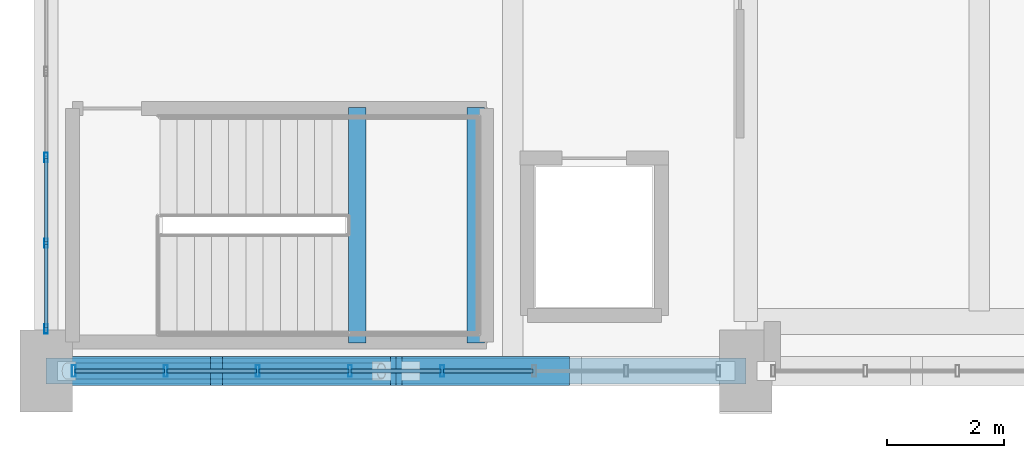
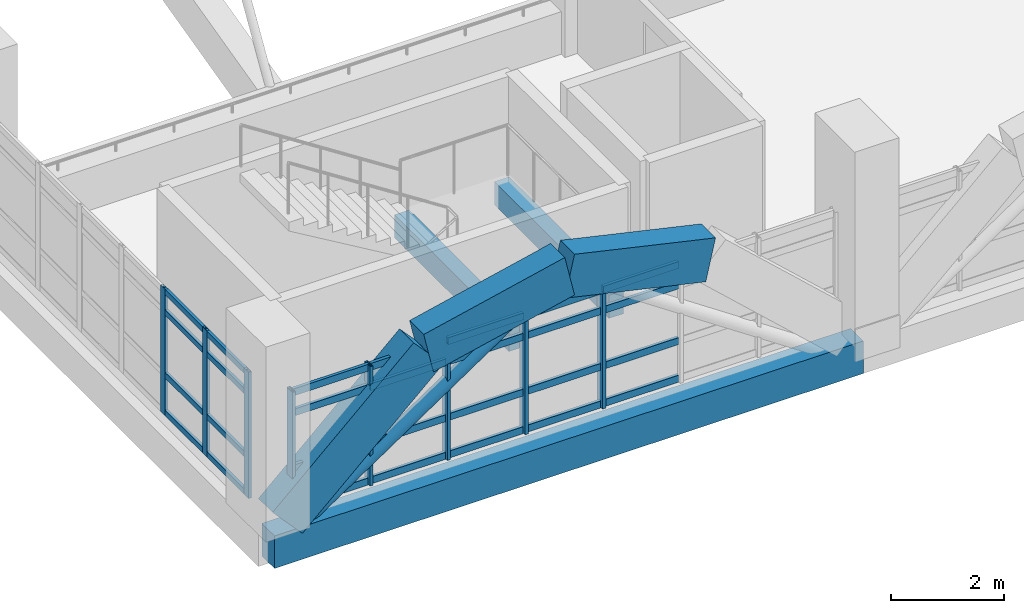
# One storey, part 7 of 161: 37 members, 6 beams, 2 elements without a shape of their own.
"""IFC4 building model written with IfcOpenShell, lengths in metres."""

import ifcopenshell
import ifcopenshell.guid

model = None  # the IFC model being written
_history = None  # IfcOwnerHistory: only IFC2X3 demands one
_inside = {}  # id of a spatial element -> (the spatial element, [elements in it])
_under = {}  # id of a project, library or spatial element -> (it, [spatial elements below it])
_declared = {}  # id of a project -> (the project, [libraries it declares])
_typed = {}  # id of a type object -> (the type object, [elements of that type])
_made_of = {}  # id of a material, layer set ... -> (it, [elements and type objects made of it])


def new_model(schema):
    """Start an empty IFC model of exactly this schema.

    Asked for "IFC4X3", IfcOpenShell would pick the latest addendum, in which some entities
    have other attributes; the version numbers below select the first issue.
    IFC2X3 requires an IfcOwnerHistory on every rooted entity: one is made here for all.
    """
    global model, _history
    if schema == "IFC4X3":
        model = ifcopenshell.file(schema_version=(4, 3, 0, 0))
    else:
        model = ifcopenshell.file(schema=schema)
    _inside.clear()
    _under.clear()
    _declared.clear()
    _typed.clear()
    _made_of.clear()
    _history = None
    if model.schema == "IFC2X3":
        org = make("IfcOrganization", Name="unknown")
        user = make(
            "IfcPersonAndOrganization",
            ThePerson=make("IfcPerson", FamilyName="unknown"),
            TheOrganization=org,
        )
        app = make(
            "IfcApplication",
            ApplicationDeveloper=org,
            Version="unknown",
            ApplicationFullName="unknown",
            ApplicationIdentifier="unknown",
        )
        _history = make(
            "IfcOwnerHistory",
            OwningUser=user,
            OwningApplication=app,
            ChangeAction="ADDED",
            CreationDate=0,
        )
    return model


def make(cls, **values):
    """One entity of the class cls with the attributes given. An attribute that is None is left unset."""
    return model.create_entity(
        cls, **{name: value for name, value in values.items() if value is not None}
    )


def rooted(cls, **values):
    """An entity with a GlobalId (a new one), such as an element, a storey or a relation."""
    return make(cls, GlobalId=ifcopenshell.guid.new(), OwnerHistory=_history, **values)


def si_unit(unit_type, name, prefix=None):
    """IfcSIUnit, for example si_unit("LENGTHUNIT", "METRE", prefix="MILLI")."""
    return make("IfcSIUnit", UnitType=unit_type, Prefix=prefix, Name=name)


def assignment(units):
    """IfcUnitAssignment: the units of a project."""
    return None if units is None else make("IfcUnitAssignment", Units=units)


def point(xyz):
    """IfcCartesianPoint."""
    return None if xyz is None else make("IfcCartesianPoint", Coordinates=xyz)


def direction(xyz):
    """IfcDirection."""
    return None if xyz is None else make("IfcDirection", DirectionRatios=xyz)


def frame(location, z_axis=None, x_axis=None):
    """IfcAxis2Placement3D, a coordinate frame: its origin and axes. An axis left out is left unset."""
    return make(
        "IfcAxis2Placement3D",
        Location=point(location),
        Axis=direction(z_axis),
        RefDirection=direction(x_axis),
    )


def frame_2d(location, x_axis=None):
    """IfcAxis2Placement2D, a coordinate frame in the plane: its origin and x axis."""
    return make(
        "IfcAxis2Placement2D", Location=point(location), RefDirection=direction(x_axis)
    )


def origin():
    """The frame at (0, 0, 0) with its axes left unset."""
    return frame((0.0, 0.0, 0.0))


def origin_2d():
    """The frame at (0, 0) in the plane with its x axis left unset."""
    return frame_2d((0.0, 0.0))


def place(relative_to, where):
    """IfcLocalPlacement: puts the frame where relative to a parent placement (None: the world)."""
    return make(
        "IfcLocalPlacement", PlacementRelTo=relative_to, RelativePlacement=where
    )


def context(
    kind, dimensions, precision=None, world=None, true_north=None, identifier=None
):
    """IfcGeometricRepresentationContext, for example the 3D "Model" context."""
    return make(
        "IfcGeometricRepresentationContext",
        ContextIdentifier=identifier,
        ContextType=kind,
        CoordinateSpaceDimension=dimensions,
        Precision=precision,
        WorldCoordinateSystem=world,
        TrueNorth=true_north,
    )


def subcontext(parent, identifier, kind, view, scale=None):
    """IfcGeometricRepresentationSubContext, for example "Body" below "Model"."""
    return make(
        "IfcGeometricRepresentationSubContext",
        ContextIdentifier=identifier,
        ContextType=kind,
        ParentContext=parent,
        TargetScale=scale,
        TargetView=view,
    )


def project(units=None, contexts=None):
    """IfcProject with its units and contexts."""
    return rooted(
        "IfcProject",
        Name="project",
        RepresentationContexts=contexts,
        UnitsInContext=assignment(units),
    )


def spatial(cls, under=None, at=None, **own):
    """A site, building, storey or space (cls), placed at a placement, below another one or the project."""
    s = rooted(cls, ObjectPlacement=at, **own)
    if under is not None:
        _under.setdefault(under.id(), (under, []))[1].append(s)
    return s


def profile(cls, at=None, kind="AREA", **sizes):
    """A parametric profile (cls). Its sizes go by their IFC names, for example OverallWidth=200.0."""
    return make(cls, ProfileType=kind, Position=at, **sizes)


def rectangle(**sizes):
    """IfcRectangleProfileDef."""
    return profile("IfcRectangleProfileDef", **sizes)


def hollow_rectangle(**sizes):
    """IfcRectangleHollowProfileDef."""
    return profile("IfcRectangleHollowProfileDef", **sizes)


def hollow_circle(**sizes):
    """IfcCircleHollowProfileDef."""
    return profile("IfcCircleHollowProfileDef", **sizes)


def extrude(swept, where, along, depth):
    """IfcExtrudedAreaSolid: the profile swept, set in the frame where, extruded along a direction by depth."""
    return make(
        "IfcExtrudedAreaSolid",
        SweptArea=swept,
        Position=where,
        ExtrudedDirection=direction(along),
        Depth=depth,
    )


def shape(context_of_items, identifier, shape_type, items):
    """IfcShapeRepresentation: the items that make up one representation, for example the "Body"."""
    return make(
        "IfcShapeRepresentation",
        ContextOfItems=context_of_items,
        RepresentationIdentifier=identifier,
        RepresentationType=shape_type,
        Items=items,
    )


def material(Name=None, Category=None):
    """IfcMaterial."""
    return make("IfcMaterial", Name=Name, Category=Category)


def layer(
    of_material, thickness, ventilated=None, Name=None, Category=None, Priority=None
):
    """IfcMaterialLayer: one layer of a wall or slab, of a material (None: an air gap)."""
    return make(
        "IfcMaterialLayer",
        Material=of_material,
        LayerThickness=thickness,
        IsVentilated=ventilated,
        Name=Name,
        Category=Category,
        Priority=Priority,
    )


def layer_set(layers, Name=None):
    """IfcMaterialLayerSet."""
    return make("IfcMaterialLayerSet", MaterialLayers=layers, LayerSetName=Name)


def material_profile(
    of_material, cross_section, Name=None, Category=None, Priority=None
):
    """IfcMaterialProfile: a cross section and its material."""
    return make(
        "IfcMaterialProfile",
        Name=Name,
        Material=of_material,
        Profile=cross_section,
        Priority=Priority,
        Category=Category,
    )


def profile_set(profiles, Name=None, composite=None):
    """IfcMaterialProfileSet."""
    return make(
        "IfcMaterialProfileSet",
        Name=Name,
        MaterialProfiles=profiles,
        CompositeProfile=composite,
    )


def made_of(thing, what):
    """Note that an element or type object is made of a material, layer set ...; save() writes the relation."""
    if what is not None:
        _made_of.setdefault(what.id(), (what, []))[1].append(thing)
    return thing


def type_object(cls, material=None, **own):
    """A type object (cls), such as IfcWallType, which elements share."""
    return made_of(rooted(cls, **own), material)


def element(
    cls,
    number,
    at=None,
    inside=None,
    cuts=None,
    type_object=None,
    material=None,
    context=None,
    identifier="Body",
    shape_type=None,
    held_by="IfcProductDefinitionShape",
    body=None,
    shapes=None,
    **own,
):
    """One element of the class cls, such as IfcWall. Its Tag is "e" and its number.

    at: its placement. inside: the storey or other place that contains it. cuts: it is an
    opening in that element (IfcRelVoidsElement). A single representation is given by context,
    identifier, shape_type and body (its items); several are given by shapes. held_by: the class
    of the entity that holds the representations. save() writes the other relations.
    """
    e = rooted(cls, Tag="e%d" % number, ObjectPlacement=at, **own)
    if body is not None:
        shapes = [shape(context, identifier, shape_type, body)]
    if shapes is not None:
        e.Representation = make(held_by, Representations=shapes)
    if inside is not None:
        _inside.setdefault(inside.id(), (inside, []))[1].append(e)
    if cuts is not None:
        rooted(
            "IfcRelVoidsElement", RelatingBuildingElement=cuts, RelatedOpeningElement=e
        )
    if type_object is not None:
        _typed.setdefault(type_object.id(), (type_object, []))[1].append(e)
    return made_of(e, material)


def aggregate(whole, parts):
    """IfcRelAggregates: a whole, such as a stair, and the parts it consists of."""
    return rooted("IfcRelAggregates", RelatingObject=whole, RelatedObjects=parts)


def save(model, path):
    """Write the relations noted so far, then the file.

    IfcRelAggregates (storeys below a building ...), IfcRelContainedInSpatialStructure (elements
    in a storey), IfcRelDefinesByType, IfcRelAssociatesMaterial and IfcRelDeclares: one each for
    every whole, place, type object, material and project.
    """
    for whole, parts in _under.values():
        aggregate(whole, parts)
    for where, things in _inside.values():
        rooted(
            "IfcRelContainedInSpatialStructure",
            RelatedElements=things,
            RelatingStructure=where,
        )
    for kind, things in _typed.values():
        rooted("IfcRelDefinesByType", RelatedObjects=things, RelatingType=kind)
    for what, things in _made_of.values():
        rooted("IfcRelAssociatesMaterial", RelatedObjects=things, RelatingMaterial=what)
    for by, libraries in _declared.values():
        rooted("IfcRelDeclares", RelatingContext=by, RelatedDefinitions=libraries)
    model.write(path)


model = new_model("IFC4")

# Units and contexts
model_context = context("Model", 3, precision=1e-05, world=origin(), true_north=direction((0.0, 1.0)))
body_context = subcontext(model_context, "Body", "Model", "MODEL_VIEW")
ifc_project = project(units=[si_unit("LENGTHUNIT", "METRE"), si_unit("AREAUNIT", "SQUARE_METRE"), si_unit("VOLUMEUNIT", "CUBIC_METRE"), si_unit("PLANEANGLEUNIT", "RADIAN"), si_unit("MASSUNIT", "GRAM", prefix="KILO")], contexts=[model_context])

# Site, building, storey
site_placement = place(None, origin())
site = spatial("IfcSite", under=ifc_project, at=site_placement, CompositionType="ELEMENT")
building_placement = place(site_placement, origin())
building = spatial("IfcBuilding", under=site, at=building_placement, Name="Mersad Railyard Sports Hall", CompositionType="ELEMENT")
storey_placement = place(building_placement, frame((0.0, 0.0, 4.800048828125)))
storey = spatial("IfcBuildingStorey", under=building, at=storey_placement, Name="L01", CompositionType="ELEMENT", Elevation=4.800048828125)

# Curtain wall, members
ifc_material_1 = material(Name="Aluminium 6063-T6", Category="aluminium")
ifc_layer_1 = layer(ifc_material_1, 0.159912109375)
ifc_layer_set_1 = layer_set([ifc_layer_1], Name="Aluminium 6063-T6")
curtain_wall_type_1 = type_object("IfcCurtainWallType", Name="ARC-CW-CW03", PredefinedType="USERDEFINED", material=ifc_layer_set_1)
curtain_wall_1_placement = place(storey_placement, origin())
curtain_wall_1 = element("IfcCurtainWall", 1, at=curtain_wall_1_placement, inside=storey, type_object=curtain_wall_type_1, Name="Curtain wall CW03-0023", ObjectType="CURTAIN WALL", PredefinedType="USERDEFINED")
ifc_material_profile_1 = material_profile(ifc_material_1, hollow_rectangle(XDim=0.06005859375, YDim=0.159912109375, WallThickness=0.00390625, at=origin_2d()), Name="AL MULLION 60x160x4")
ifc_profile_set_1 = profile_set([ifc_material_profile_1], Name="Aluminium 6063-T6")
member_type_1 = type_object("IfcMemberType", Name="ARC-CW-MUL01", PredefinedType="MULLION", material=ifc_profile_set_1)
member_1_placement = place(storey_placement, frame((7.0, 4.219970703125, -0.02001953125), z_axis=(0.0, 0.0, 1.0), x_axis=(1.0, 0.0, 0.0)))
member_1 = element("IfcMember", 2, at=member_1_placement, type_object=member_type_1, Name="CW03 Mullion 1", PredefinedType="MULLION", context=body_context, shape_type="SweptSolid", body=[
    extrude(hollow_rectangle(XDim=0.06005859375, YDim=0.159912109375, WallThickness=0.00390625, at=origin_2d()), origin(), (0.0, 0.0, 1.0), 2.719970703125),
])
member_2_placement = place(storey_placement, frame((7.0, 5.6923828125, -0.02001953125), z_axis=(0.0, 0.0, 1.0), x_axis=(1.0, 0.0, 0.0)))
member_2 = element("IfcMember", 3, at=member_2_placement, type_object=member_type_1, Name="CW03 Mullion 2", PredefinedType="MULLION", context=body_context, shape_type="SweptSolid", body=[
    extrude(hollow_rectangle(XDim=0.06005859375, YDim=0.159912109375, WallThickness=0.00390625, at=origin_2d()), origin(), (0.0, 0.0, 1.0), 2.719970703125),
])
member_3_placement = place(storey_placement, frame((7.0, 7.1650390625, -0.02001953125), z_axis=(0.0, 0.0, 1.0), x_axis=(1.0, 0.0, 0.0)))
member_3 = element("IfcMember", 4, at=member_3_placement, type_object=member_type_1, Name="CW03 Mullion 3", PredefinedType="MULLION", context=body_context, shape_type="SweptSolid", body=[
    extrude(hollow_rectangle(XDim=0.06005859375, YDim=0.159912109375, WallThickness=0.00390625, at=origin_2d()), origin(), (0.0, 0.0, 1.0), 2.719970703125),
])

ifc_layer_2 = layer(ifc_material_1, 0.199951171875)
ifc_layer_set_2 = layer_set([ifc_layer_2], Name="Aluminium 6063-T6")
curtain_wall_type_2 = type_object("IfcCurtainWallType", Name="ARC-CW-CW02", PredefinedType="USERDEFINED", material=ifc_layer_set_2)
curtain_wall_2_placement = place(storey_placement, origin())
curtain_wall_2 = element("IfcCurtainWall", 5, at=curtain_wall_2_placement, inside=storey, type_object=curtain_wall_type_2, Name="Curtain wall CW02-0002", ObjectType="CURTAIN WALL", PredefinedType="USERDEFINED")
ifc_material_profile_2 = material_profile(ifc_material_1, hollow_rectangle(XDim=0.06494140625, YDim=0.199951171875, WallThickness=0.0048828125, at=origin_2d()), Name="AL MULLION 65x200x5")
ifc_profile_set_2 = profile_set([ifc_material_profile_2], Name="Aluminium 6063-T6")
member_type_2 = type_object("IfcMemberType", Name="ARC-CW-MUL02", PredefinedType="MULLION", material=ifc_profile_set_2)
member_4_placement = place(storey_placement, frame((13.7900390625, 3.5, -0.02001953125), z_axis=(0.0, 0.0, 1.0), x_axis=(1.0, 0.0, 0.0)))
member_4 = element("IfcMember", 6, at=member_4_placement, type_object=member_type_2, Name="CW02 Mullion 4", PredefinedType="MULLION", context=body_context, shape_type="SweptSolid", body=[
    extrude(hollow_rectangle(XDim=0.06494140625, YDim=0.199951171875, WallThickness=0.0048828125, at=origin_2d()), origin(), (0.0, 0.0, 1.0), 2.570068359375),
])
member_5_placement = place(storey_placement, frame((12.2099609375, 3.5, -0.02001953125), z_axis=(0.0, 0.0, 1.0), x_axis=(1.0, 0.0, 0.0)))
member_5 = element("IfcMember", 7, at=member_5_placement, type_object=member_type_2, Name="CW02 Mullion 5", PredefinedType="MULLION", context=body_context, shape_type="SweptSolid", body=[
    extrude(hollow_rectangle(XDim=0.06494140625, YDim=0.199951171875, WallThickness=0.0048828125, at=origin_2d()), origin(), (0.0, 0.0, 1.0), 2.570068359375),
])
member_6_placement = place(storey_placement, frame((10.6298828125, 3.5, -0.02001953125), z_axis=(0.0, 0.0, 1.0), x_axis=(1.0, 0.0, 0.0)))
member_6 = element("IfcMember", 8, at=member_6_placement, type_object=member_type_2, Name="CW02 Mullion 6", PredefinedType="MULLION", context=body_context, shape_type="SweptSolid", body=[
    extrude(hollow_rectangle(XDim=0.06494140625, YDim=0.199951171875, WallThickness=0.0048828125, at=origin_2d()), origin(), (0.0, 0.0, 1.0), 2.570068359375),
])
member_7_placement = place(storey_placement, frame((9.050048828125, 3.5, -0.02001953125), z_axis=(0.0, 0.0, 1.0), x_axis=(1.0, 0.0, 0.0)))
member_7 = element("IfcMember", 9, at=member_7_placement, type_object=member_type_2, Name="CW02 Mullion 7", PredefinedType="MULLION", context=body_context, shape_type="SweptSolid", body=[
    extrude(hollow_rectangle(XDim=0.06494140625, YDim=0.199951171875, WallThickness=0.0048828125, at=origin_2d()), origin(), (0.0, 0.0, 1.0), 2.570068359375),
])
member_8_placement = place(storey_placement, frame((7.469970703125, 3.5, -0.02001953125), z_axis=(0.0, 0.0, 1.0), x_axis=(1.0, 0.0, 0.0)))
member_8 = element("IfcMember", 10, at=member_8_placement, type_object=member_type_2, Name="CW02 Mullion 8", PredefinedType="MULLION", context=body_context, shape_type="SweptSolid", body=[
    extrude(hollow_rectangle(XDim=0.06494140625, YDim=0.199951171875, WallThickness=0.0048828125, at=origin_2d()), origin(), (0.0, 0.0, 1.0), 2.570068359375),
])

# Member
ifc_material_profile_3 = material_profile(ifc_material_1, hollow_rectangle(XDim=0.06005859375, YDim=0.1201171875, WallThickness=0.00390625, at=origin_2d()), Name="AL TRANSOM 60x120x4")
ifc_profile_set_3 = profile_set([ifc_material_profile_3], Name="Aluminium 6063-T6")
member_type_3 = type_object("IfcMemberType", Name="ARC-CW-TRN01", PredefinedType="USERDEFINED", material=ifc_profile_set_3)
member_9_placement = place(storey_placement, frame((7.0, 4.239990234375, 0.0400390625), z_axis=(0.0, 1.0, 0.0), x_axis=(-1.0, 0.0, 0.0)))
member_9 = element("IfcMember", 11, at=member_9_placement, type_object=member_type_3, Name="CW03 Transom 1-1", ObjectType="TRANSOM", PredefinedType="USERDEFINED", context=body_context, shape_type="SweptSolid", body=[
    extrude(hollow_rectangle(XDim=0.06005859375, YDim=0.1201171875, WallThickness=0.00390625, at=origin_2d()), origin(), (0.0, 0.0, 1.0), 1.4326171875),
])

member_10_placement = place(storey_placement, frame((7.0, 5.71240234375, 0.0400390625), z_axis=(0.0, 1.0, 0.0), x_axis=(-1.0, 0.0, 0.0)))
member_10 = element("IfcMember", 12, at=member_10_placement, type_object=member_type_3, Name="CW03 Transom 1-2", ObjectType="TRANSOM", PredefinedType="USERDEFINED", context=body_context, shape_type="SweptSolid", body=[
    extrude(hollow_rectangle(XDim=0.06005859375, YDim=0.1201171875, WallThickness=0.00390625, at=origin_2d()), origin(), (0.0, 0.0, 1.0), 1.4326171875),
])

member_11_placement = place(storey_placement, frame((7.0, 4.239990234375, 0.849853515625), z_axis=(0.0, 1.0, 0.0), x_axis=(-1.0, 0.0, 0.0)))
member_11 = element("IfcMember", 13, at=member_11_placement, type_object=member_type_3, Name="CW03 Transom 2-1", ObjectType="TRANSOM", PredefinedType="USERDEFINED", context=body_context, shape_type="SweptSolid", body=[
    extrude(hollow_rectangle(XDim=0.06005859375, YDim=0.1201171875, WallThickness=0.00390625, at=origin_2d()), origin(), (0.0, 0.0, 1.0), 1.4326171875),
])

member_12_placement = place(storey_placement, frame((7.0, 5.71240234375, 0.849853515625), z_axis=(0.0, 1.0, 0.0), x_axis=(-1.0, 0.0, 0.0)))
member_12 = element("IfcMember", 14, at=member_12_placement, type_object=member_type_3, Name="CW03 Transom 2-2", ObjectType="TRANSOM", PredefinedType="USERDEFINED", context=body_context, shape_type="SweptSolid", body=[
    extrude(hollow_rectangle(XDim=0.06005859375, YDim=0.1201171875, WallThickness=0.00390625, at=origin_2d()), origin(), (0.0, 0.0, 1.0), 1.4326171875),
])

member_13_placement = place(storey_placement, frame((7.0, 4.239990234375, 2.199951171875), z_axis=(0.0, 1.0, 0.0), x_axis=(-1.0, 0.0, 0.0)))
member_13 = element("IfcMember", 15, at=member_13_placement, type_object=member_type_3, Name="CW03 Transom 3-1", ObjectType="TRANSOM", PredefinedType="USERDEFINED", context=body_context, shape_type="SweptSolid", body=[
    extrude(hollow_rectangle(XDim=0.06005859375, YDim=0.1201171875, WallThickness=0.00390625, at=origin_2d()), origin(), (0.0, 0.0, 1.0), 1.4326171875),
])

member_14_placement = place(storey_placement, frame((7.0, 5.71240234375, 2.199951171875), z_axis=(0.0, 1.0, 0.0), x_axis=(-1.0, 0.0, 0.0)))
member_14 = element("IfcMember", 16, at=member_14_placement, type_object=member_type_3, Name="CW03 Transom 3-2", ObjectType="TRANSOM", PredefinedType="USERDEFINED", context=body_context, shape_type="SweptSolid", body=[
    extrude(hollow_rectangle(XDim=0.06005859375, YDim=0.1201171875, WallThickness=0.00390625, at=origin_2d()), origin(), (0.0, 0.0, 1.0), 1.4326171875),
])

member_15_placement = place(storey_placement, frame((7.0, 4.239990234375, 2.639892578125), z_axis=(0.0, 1.0, 0.0), x_axis=(-1.0, 0.0, 0.0)))
member_15 = element("IfcMember", 17, at=member_15_placement, type_object=member_type_3, Name="CW03 Transom 4-1", ObjectType="TRANSOM", PredefinedType="USERDEFINED", context=body_context, shape_type="SweptSolid", body=[
    extrude(hollow_rectangle(XDim=0.06005859375, YDim=0.1201171875, WallThickness=0.00390625, at=origin_2d()), origin(), (0.0, 0.0, 1.0), 1.4326171875),
])

member_16_placement = place(storey_placement, frame((7.0, 5.71240234375, 2.639892578125), z_axis=(0.0, 1.0, 0.0), x_axis=(-1.0, 0.0, 0.0)))
member_16 = element("IfcMember", 18, at=member_16_placement, type_object=member_type_3, Name="CW03 Transom 4-2", ObjectType="TRANSOM", PredefinedType="USERDEFINED", context=body_context, shape_type="SweptSolid", body=[
    extrude(hollow_rectangle(XDim=0.06005859375, YDim=0.1201171875, WallThickness=0.00390625, at=origin_2d()), origin(), (0.0, 0.0, 1.0), 1.4326171875),
])

aggregate(curtain_wall_1, [member_1, member_2, member_3, member_9, member_10, member_11, member_12, member_13, member_14, member_15, member_16])

ifc_material_profile_4 = material_profile(ifc_material_1, hollow_rectangle(XDim=0.06494140625, YDim=0.14990234375, WallThickness=0.00439453125, at=origin_2d()), Name="AL TRANSOM 65x150x4.5")
ifc_profile_set_4 = profile_set([ifc_material_profile_4], Name="Aluminium 6063-T6")
member_type_4 = type_object("IfcMemberType", Name="ARC-CW-TRN02", PredefinedType="USERDEFINED", material=ifc_profile_set_4)
member_17_placement = place(storey_placement, frame((15.35009765625, 3.5, 0.0400390625), z_axis=(-1.0, 0.0, 0.0), x_axis=(0.0, -1.0, 0.0)))
member_17 = element("IfcMember", 19, at=member_17_placement, type_object=member_type_4, Name="CW02 Transom 1-3", ObjectType="TRANSOM", PredefinedType="USERDEFINED", context=body_context, shape_type="SweptSolid", body=[
    extrude(hollow_rectangle(XDim=0.06494140625, YDim=0.14990234375, WallThickness=0.00439453125, at=origin_2d()), origin(), (0.0, 0.0, 1.0), 1.5400390625),
])

member_18_placement = place(storey_placement, frame((13.77001953125, 3.5, 0.0400390625), z_axis=(-1.0, 0.0, 0.0), x_axis=(0.0, -1.0, 0.0)))
member_18 = element("IfcMember", 20, at=member_18_placement, type_object=member_type_4, Name="CW02 Transom 1-4", ObjectType="TRANSOM", PredefinedType="USERDEFINED", context=body_context, shape_type="SweptSolid", body=[
    extrude(hollow_rectangle(XDim=0.06494140625, YDim=0.14990234375, WallThickness=0.00439453125, at=origin_2d()), origin(), (0.0, 0.0, 1.0), 1.5400390625),
])

member_19_placement = place(storey_placement, frame((12.18994140625, 3.5, 0.0400390625), z_axis=(-1.0, 0.0, 0.0), x_axis=(0.0, -1.0, 0.0)))
member_19 = element("IfcMember", 21, at=member_19_placement, type_object=member_type_4, Name="CW02 Transom 1-5", ObjectType="TRANSOM", PredefinedType="USERDEFINED", context=body_context, shape_type="SweptSolid", body=[
    extrude(hollow_rectangle(XDim=0.06494140625, YDim=0.14990234375, WallThickness=0.00439453125, at=origin_2d()), origin(), (0.0, 0.0, 1.0), 1.5400390625),
])

member_20_placement = place(storey_placement, frame((10.610107421875, 3.5, 0.0400390625), z_axis=(-1.0, 0.0, 0.0), x_axis=(0.0, -1.0, 0.0)))
member_20 = element("IfcMember", 22, at=member_20_placement, type_object=member_type_4, Name="CW02 Transom 1-6", ObjectType="TRANSOM", PredefinedType="USERDEFINED", context=body_context, shape_type="SweptSolid", body=[
    extrude(hollow_rectangle(XDim=0.06494140625, YDim=0.14990234375, WallThickness=0.00439453125, at=origin_2d()), origin(), (0.0, 0.0, 1.0), 1.5400390625),
])

member_21_placement = place(storey_placement, frame((9.030029296875, 3.5, 0.0400390625), z_axis=(-1.0, 0.0, 0.0), x_axis=(0.0, -1.0, 0.0)))
member_21 = element("IfcMember", 23, at=member_21_placement, type_object=member_type_4, Name="CW02 Transom 1-7", ObjectType="TRANSOM", PredefinedType="USERDEFINED", context=body_context, shape_type="SweptSolid", body=[
    extrude(hollow_rectangle(XDim=0.06494140625, YDim=0.14990234375, WallThickness=0.00439453125, at=origin_2d()), origin(), (0.0, 0.0, 1.0), 1.5400390625),
])

member_22_placement = place(storey_placement, frame((15.35009765625, 3.5, 0.849853515625), z_axis=(-1.0, 0.0, 0.0), x_axis=(0.0, -1.0, 0.0)))
member_22 = element("IfcMember", 24, at=member_22_placement, type_object=member_type_4, Name="CW02 Transom 2-3", ObjectType="TRANSOM", PredefinedType="USERDEFINED", context=body_context, shape_type="SweptSolid", body=[
    extrude(hollow_rectangle(XDim=0.06494140625, YDim=0.14990234375, WallThickness=0.00439453125, at=origin_2d()), origin(), (0.0, 0.0, 1.0), 1.5400390625),
])

member_23_placement = place(storey_placement, frame((13.77001953125, 3.5, 0.849853515625), z_axis=(-1.0, 0.0, 0.0), x_axis=(0.0, -1.0, 0.0)))
member_23 = element("IfcMember", 25, at=member_23_placement, type_object=member_type_4, Name="CW02 Transom 2-4", ObjectType="TRANSOM", PredefinedType="USERDEFINED", context=body_context, shape_type="SweptSolid", body=[
    extrude(hollow_rectangle(XDim=0.06494140625, YDim=0.14990234375, WallThickness=0.00439453125, at=origin_2d()), origin(), (0.0, 0.0, 1.0), 1.5400390625),
])

member_24_placement = place(storey_placement, frame((12.18994140625, 3.5, 0.849853515625), z_axis=(-1.0, 0.0, 0.0), x_axis=(0.0, -1.0, 0.0)))
member_24 = element("IfcMember", 26, at=member_24_placement, type_object=member_type_4, Name="CW02 Transom 2-5", ObjectType="TRANSOM", PredefinedType="USERDEFINED", context=body_context, shape_type="SweptSolid", body=[
    extrude(hollow_rectangle(XDim=0.06494140625, YDim=0.14990234375, WallThickness=0.00439453125, at=origin_2d()), origin(), (0.0, 0.0, 1.0), 1.5400390625),
])

member_25_placement = place(storey_placement, frame((10.610107421875, 3.5, 0.849853515625), z_axis=(-1.0, 0.0, 0.0), x_axis=(0.0, -1.0, 0.0)))
member_25 = element("IfcMember", 27, at=member_25_placement, type_object=member_type_4, Name="CW02 Transom 2-6", ObjectType="TRANSOM", PredefinedType="USERDEFINED", context=body_context, shape_type="SweptSolid", body=[
    extrude(hollow_rectangle(XDim=0.06494140625, YDim=0.14990234375, WallThickness=0.00439453125, at=origin_2d()), origin(), (0.0, 0.0, 1.0), 1.5400390625),
])

member_26_placement = place(storey_placement, frame((9.030029296875, 3.5, 0.849853515625), z_axis=(-1.0, 0.0, 0.0), x_axis=(0.0, -1.0, 0.0)))
member_26 = element("IfcMember", 28, at=member_26_placement, type_object=member_type_4, Name="CW02 Transom 2-7", ObjectType="TRANSOM", PredefinedType="USERDEFINED", context=body_context, shape_type="SweptSolid", body=[
    extrude(hollow_rectangle(XDim=0.06494140625, YDim=0.14990234375, WallThickness=0.00439453125, at=origin_2d()), origin(), (0.0, 0.0, 1.0), 1.5400390625),
])

member_27_placement = place(storey_placement, frame((15.35009765625, 3.5, 2.050048828125), z_axis=(-1.0, 0.0, 0.0), x_axis=(0.0, -1.0, 0.0)))
member_27 = element("IfcMember", 29, at=member_27_placement, type_object=member_type_4, Name="CW02 Transom 3-3", ObjectType="TRANSOM", PredefinedType="USERDEFINED", context=body_context, shape_type="SweptSolid", body=[
    extrude(hollow_rectangle(XDim=0.06494140625, YDim=0.14990234375, WallThickness=0.00439453125, at=origin_2d()), origin(), (0.0, 0.0, 1.0), 1.5400390625),
])

member_28_placement = place(storey_placement, frame((13.77001953125, 3.5, 2.050048828125), z_axis=(-1.0, 0.0, 0.0), x_axis=(0.0, -1.0, 0.0)))
member_28 = element("IfcMember", 30, at=member_28_placement, type_object=member_type_4, Name="CW02 Transom 3-4", ObjectType="TRANSOM", PredefinedType="USERDEFINED", context=body_context, shape_type="SweptSolid", body=[
    extrude(hollow_rectangle(XDim=0.06494140625, YDim=0.14990234375, WallThickness=0.00439453125, at=origin_2d()), origin(), (0.0, 0.0, 1.0), 1.5400390625),
])

member_29_placement = place(storey_placement, frame((12.18994140625, 3.5, 2.050048828125), z_axis=(-1.0, 0.0, 0.0), x_axis=(0.0, -1.0, 0.0)))
member_29 = element("IfcMember", 31, at=member_29_placement, type_object=member_type_4, Name="CW02 Transom 3-5", ObjectType="TRANSOM", PredefinedType="USERDEFINED", context=body_context, shape_type="SweptSolid", body=[
    extrude(hollow_rectangle(XDim=0.06494140625, YDim=0.14990234375, WallThickness=0.00439453125, at=origin_2d()), origin(), (0.0, 0.0, 1.0), 1.5400390625),
])

member_30_placement = place(storey_placement, frame((10.610107421875, 3.5, 2.050048828125), z_axis=(-1.0, 0.0, 0.0), x_axis=(0.0, -1.0, 0.0)))
member_30 = element("IfcMember", 32, at=member_30_placement, type_object=member_type_4, Name="CW02 Transom 3-6", ObjectType="TRANSOM", PredefinedType="USERDEFINED", context=body_context, shape_type="SweptSolid", body=[
    extrude(hollow_rectangle(XDim=0.06494140625, YDim=0.14990234375, WallThickness=0.00439453125, at=origin_2d()), origin(), (0.0, 0.0, 1.0), 1.5400390625),
])

member_31_placement = place(storey_placement, frame((9.030029296875, 3.5, 2.050048828125), z_axis=(-1.0, 0.0, 0.0), x_axis=(0.0, -1.0, 0.0)))
member_31 = element("IfcMember", 33, at=member_31_placement, type_object=member_type_4, Name="CW02 Transom 3-7", ObjectType="TRANSOM", PredefinedType="USERDEFINED", context=body_context, shape_type="SweptSolid", body=[
    extrude(hollow_rectangle(XDim=0.06494140625, YDim=0.14990234375, WallThickness=0.00439453125, at=origin_2d()), origin(), (0.0, 0.0, 1.0), 1.5400390625),
])

member_32_placement = place(storey_placement, frame((15.35009765625, 3.5, 2.489990234375), z_axis=(-1.0, 0.0, 0.0), x_axis=(0.0, -1.0, 0.0)))
member_32 = element("IfcMember", 34, at=member_32_placement, type_object=member_type_4, Name="CW02 Transom 4-3", ObjectType="TRANSOM", PredefinedType="USERDEFINED", context=body_context, shape_type="SweptSolid", body=[
    extrude(hollow_rectangle(XDim=0.06494140625, YDim=0.14990234375, WallThickness=0.00439453125, at=origin_2d()), origin(), (0.0, 0.0, 1.0), 1.5400390625),
])

member_33_placement = place(storey_placement, frame((13.77001953125, 3.5, 2.489990234375), z_axis=(-1.0, 0.0, 0.0), x_axis=(0.0, -1.0, 0.0)))
member_33 = element("IfcMember", 35, at=member_33_placement, type_object=member_type_4, Name="CW02 Transom 4-4", ObjectType="TRANSOM", PredefinedType="USERDEFINED", context=body_context, shape_type="SweptSolid", body=[
    extrude(hollow_rectangle(XDim=0.06494140625, YDim=0.14990234375, WallThickness=0.00439453125, at=origin_2d()), origin(), (0.0, 0.0, 1.0), 1.5400390625),
])

member_34_placement = place(storey_placement, frame((12.18994140625, 3.5, 2.489990234375), z_axis=(-1.0, 0.0, 0.0), x_axis=(0.0, -1.0, 0.0)))
member_34 = element("IfcMember", 36, at=member_34_placement, type_object=member_type_4, Name="CW02 Transom 4-5", ObjectType="TRANSOM", PredefinedType="USERDEFINED", context=body_context, shape_type="SweptSolid", body=[
    extrude(hollow_rectangle(XDim=0.06494140625, YDim=0.14990234375, WallThickness=0.00439453125, at=origin_2d()), origin(), (0.0, 0.0, 1.0), 1.5400390625),
])

member_35_placement = place(storey_placement, frame((10.610107421875, 3.5, 2.489990234375), z_axis=(-1.0, 0.0, 0.0), x_axis=(0.0, -1.0, 0.0)))
member_35 = element("IfcMember", 37, at=member_35_placement, type_object=member_type_4, Name="CW02 Transom 4-6", ObjectType="TRANSOM", PredefinedType="USERDEFINED", context=body_context, shape_type="SweptSolid", body=[
    extrude(hollow_rectangle(XDim=0.06494140625, YDim=0.14990234375, WallThickness=0.00439453125, at=origin_2d()), origin(), (0.0, 0.0, 1.0), 1.5400390625),
])

member_36_placement = place(storey_placement, frame((9.030029296875, 3.5, 2.489990234375), z_axis=(-1.0, 0.0, 0.0), x_axis=(0.0, -1.0, 0.0)))
member_36 = element("IfcMember", 38, at=member_36_placement, type_object=member_type_4, Name="CW02 Transom 4-7", ObjectType="TRANSOM", PredefinedType="USERDEFINED", context=body_context, shape_type="SweptSolid", body=[
    extrude(hollow_rectangle(XDim=0.06494140625, YDim=0.14990234375, WallThickness=0.00439453125, at=origin_2d()), origin(), (0.0, 0.0, 1.0), 1.5400390625),
])

aggregate(curtain_wall_2, [member_4, member_5, member_6, member_7, member_8, member_17, member_18, member_19, member_20, member_21, member_22, member_23, member_24, member_25, member_26, member_27, member_28, member_29, member_30, member_31, member_32, member_33, member_34, member_35, member_36])

# Beams
ifc_material_2 = material(Name="Concrete C40/50", Category="concrete")
ifc_material_profile_5 = material_profile(ifc_material_2, rectangle(XDim=0.300048828125, YDim=0.5, at=origin_2d()), Name="RC 300x500")
ifc_profile_set_5 = profile_set([ifc_material_profile_5], Name="Concrete C40/50")
beam_type_1 = type_object("IfcBeamType", Name="STR-BM-LN01", PredefinedType="LINTEL", material=ifc_profile_set_5)
for number, where, z_axis, x_axis, name in (
    (39, (12.3349609375, 3.97998046875, 1.669921875), (0.0, 1.0, 0.0), (-1.0, 0.0, 0.0), "Stair ST05B landing beam W"),
    (40, (14.3701171875, 3.97998046875, 1.669921875), (0.0, 1.0, 0.0), (-1.0, 0.0, 0.0), "Stair ST05B landing beam E"),
):
    element("IfcBeam", number, at=place(storey_placement, frame(where, z_axis=z_axis, x_axis=x_axis)), inside=storey, type_object=beam_type_1, Name=name, PredefinedType="LINTEL", context=body_context, shape_type="SweptSolid", body=[
        extrude(rectangle(XDim=0.300048828125, YDim=0.5, at=origin_2d()), origin(), (0.0, 0.0, 1.0), 4.0400390625),
    ])
ifc_material_3 = material(Name="Architectural concrete C40/50", Category="concrete")
ifc_material_profile_6 = material_profile(ifc_material_3, rectangle(XDim=0.449951171875, YDim=0.699951171875, at=origin_2d()), Name="RC 450x700")
ifc_profile_set_6 = profile_set([ifc_material_profile_6], Name="Architectural concrete C40/50")
beam_type_2 = type_object("IfcBeamType", Name="STR-BM-SP01", PredefinedType="SPANDREL", material=ifc_profile_set_6)
beam_1_placement = place(storey_placement, frame((7.0, 3.5, -0.66015625), z_axis=(1.0, 0.0, 0.0), x_axis=(0.0, 1.0, 0.0)))
element("IfcBeam", 41, at=beam_1_placement, inside=storey, type_object=beam_type_2, Name="Beam SP01-0324", PredefinedType="SPANDREL", context=body_context, shape_type="SweptSolid", body=[
    extrude(rectangle(XDim=0.449951171875, YDim=0.699951171875, at=origin_2d()), origin(), (0.0, 0.0, 1.0), 12.0),
])
ifc_material_4 = material(Name="Architectural concrete C50/60", Category="concrete")
ifc_material_profile_7 = material_profile(ifc_material_4, rectangle(XDim=0.5, YDim=0.89990234375, at=origin_2d()), Name="VR 500x900")
ifc_profile_set_7 = profile_set([ifc_material_profile_7], Name="Architectural concrete C50/60")
beam_type_3 = type_object("IfcBeamType", Name="STR-BM-VR02", PredefinedType="BEAM", material=ifc_profile_set_7)
beam_2_placement = place(storey_placement, frame((7.25, 3.5, -0.10009765625), z_axis=(0.735617187873, 0.0, 0.677397485164), x_axis=(0.0, 1.0, 0.0)))
element("IfcBeam", 42, at=beam_2_placement, inside=storey, type_object=beam_type_3, Name="Beam VR02-0326", PredefinedType="BEAM", context=body_context, shape_type="SweptSolid", body=[
    extrude(rectangle(XDim=0.5, YDim=0.89990234375, at=origin_2d()), origin(), (0.0, 0.0, 1.0), 3.908203125),
])
for number, where, z_axis, x_axis, name in (
    (43, (10.125, 3.5, 2.54736328125), (0.97519301708, 0.0, 0.221356227467), (0.0, 1.0, 0.0), "Beam VR02-0328"),
    (44, (13.0, 3.5, 3.199951171875), (0.97519301708, 0.0, -0.221356227467), (0.0, 1.0, 0.0), "Beam VR02-0330"),
):
    element("IfcBeam", number, at=place(storey_placement, frame(where, z_axis=z_axis, x_axis=x_axis)), inside=storey, type_object=beam_type_3, Name=name, PredefinedType="BEAM", context=body_context, shape_type="SweptSolid", body=[
        extrude(rectangle(XDim=0.5, YDim=0.89990234375, at=origin_2d()), origin(), (0.0, 0.0, 1.0), 2.9482421875),
    ])

# Member
ifc_material_5 = material(Name="Steel S355", Category="steel")
ifc_material_profile_8 = material_profile(ifc_material_5, hollow_circle(Radius=0.136474609375, WallThickness=0.012451171875, at=origin_2d()), Name="CHS 273x12.5")
ifc_profile_set_8 = profile_set([ifc_material_profile_8], Name="Steel S355")
member_type_5 = type_object("IfcMemberType", Name="STR-MEM-BR02", PredefinedType="BRACE", material=ifc_profile_set_8)
member_37_placement = place(storey_placement, frame((7.35009765625, 3.5, -0.6201171875), z_axis=(0.829190125257, 0.0, 0.558966668215), x_axis=(0.0, 1.0, 0.0)))
element("IfcMember", 45, at=member_37_placement, inside=storey, type_object=member_type_5, Name="Structural member BR02-0001", PredefinedType="BRACE", context=body_context, shape_type="SweptSolid", body=[
    extrude(hollow_circle(Radius=0.136474609375, WallThickness=0.012451171875, at=origin_2d()), origin(), (0.0, 0.0, 1.0), 6.51220703125),
])

save(model, "model.ifc")
